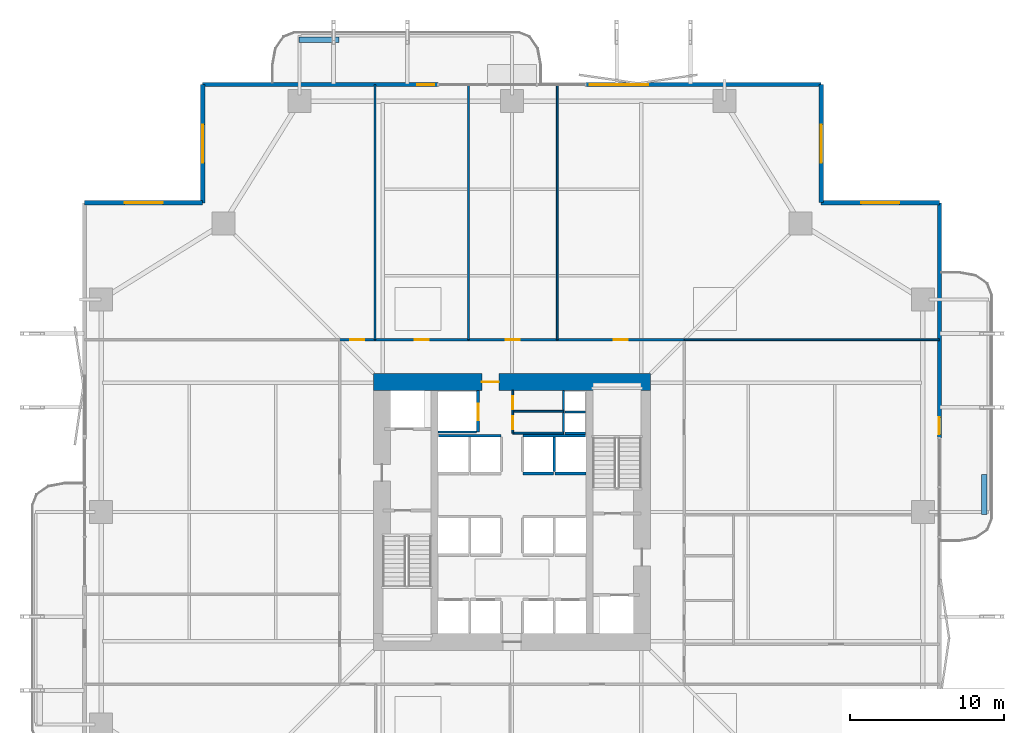
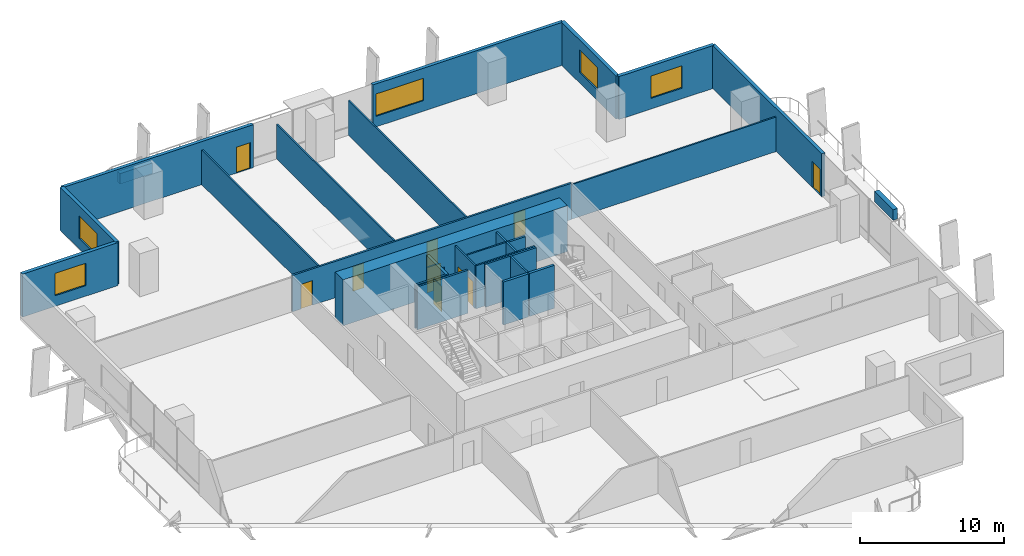
# One storey, part 19 of 24: 28 walls, 10 doors, 5 windows, 15 openings.
"""IFC4 building model written with IfcOpenShell, lengths in metres."""

import ifcopenshell
import ifcopenshell.guid

model = None  # the IFC model being written
_history = None  # IfcOwnerHistory: only IFC2X3 demands one
_inside = {}  # id of a spatial element -> (the spatial element, [elements in it])
_under = {}  # id of a project, library or spatial element -> (it, [spatial elements below it])
_declared = {}  # id of a project -> (the project, [libraries it declares])
_typed = {}  # id of a type object -> (the type object, [elements of that type])
_made_of = {}  # id of a material, layer set ... -> (it, [elements and type objects made of it])


def new_model(schema):
    """Start an empty IFC model of exactly this schema.

    Asked for "IFC4X3", IfcOpenShell would pick the latest addendum, in which some entities
    have other attributes; the version numbers below select the first issue.
    IFC2X3 requires an IfcOwnerHistory on every rooted entity: one is made here for all.
    """
    global model, _history
    if schema == "IFC4X3":
        model = ifcopenshell.file(schema_version=(4, 3, 0, 0))
    else:
        model = ifcopenshell.file(schema=schema)
    _inside.clear()
    _under.clear()
    _declared.clear()
    _typed.clear()
    _made_of.clear()
    _history = None
    if model.schema == "IFC2X3":
        org = make("IfcOrganization", Name="unknown")
        user = make(
            "IfcPersonAndOrganization",
            ThePerson=make("IfcPerson", FamilyName="unknown"),
            TheOrganization=org,
        )
        app = make(
            "IfcApplication",
            ApplicationDeveloper=org,
            Version="unknown",
            ApplicationFullName="unknown",
            ApplicationIdentifier="unknown",
        )
        _history = make(
            "IfcOwnerHistory",
            OwningUser=user,
            OwningApplication=app,
            ChangeAction="ADDED",
            CreationDate=0,
        )
    return model


def make(cls, **values):
    """One entity of the class cls with the attributes given. An attribute that is None is left unset."""
    return model.create_entity(
        cls, **{name: value for name, value in values.items() if value is not None}
    )


def rooted(cls, **values):
    """An entity with a GlobalId (a new one), such as an element, a storey or a relation."""
    return make(cls, GlobalId=ifcopenshell.guid.new(), OwnerHistory=_history, **values)


def si_unit(unit_type, name, prefix=None):
    """IfcSIUnit, for example si_unit("LENGTHUNIT", "METRE", prefix="MILLI")."""
    return make("IfcSIUnit", UnitType=unit_type, Prefix=prefix, Name=name)


def assignment(units):
    """IfcUnitAssignment: the units of a project."""
    return None if units is None else make("IfcUnitAssignment", Units=units)


def point(xyz):
    """IfcCartesianPoint."""
    return None if xyz is None else make("IfcCartesianPoint", Coordinates=xyz)


def direction(xyz):
    """IfcDirection."""
    return None if xyz is None else make("IfcDirection", DirectionRatios=xyz)


def frame(location, z_axis=None, x_axis=None):
    """IfcAxis2Placement3D, a coordinate frame: its origin and axes. An axis left out is left unset."""
    return make(
        "IfcAxis2Placement3D",
        Location=point(location),
        Axis=direction(z_axis),
        RefDirection=direction(x_axis),
    )


def frame_2d(location, x_axis=None):
    """IfcAxis2Placement2D, a coordinate frame in the plane: its origin and x axis."""
    return make(
        "IfcAxis2Placement2D", Location=point(location), RefDirection=direction(x_axis)
    )


def origin():
    """The frame at (0, 0, 0) with its axes left unset."""
    return frame((0.0, 0.0, 0.0))


def place(relative_to, where):
    """IfcLocalPlacement: puts the frame where relative to a parent placement (None: the world)."""
    return make(
        "IfcLocalPlacement", PlacementRelTo=relative_to, RelativePlacement=where
    )


def context(
    kind, dimensions, precision=None, world=None, true_north=None, identifier=None
):
    """IfcGeometricRepresentationContext, for example the 3D "Model" context."""
    return make(
        "IfcGeometricRepresentationContext",
        ContextIdentifier=identifier,
        ContextType=kind,
        CoordinateSpaceDimension=dimensions,
        Precision=precision,
        WorldCoordinateSystem=world,
        TrueNorth=true_north,
    )


def subcontext(parent, identifier, kind, view, scale=None):
    """IfcGeometricRepresentationSubContext, for example "Body" below "Model"."""
    return make(
        "IfcGeometricRepresentationSubContext",
        ContextIdentifier=identifier,
        ContextType=kind,
        ParentContext=parent,
        TargetScale=scale,
        TargetView=view,
    )


def project(units=None, contexts=None):
    """IfcProject with its units and contexts."""
    return rooted(
        "IfcProject",
        Name="project",
        RepresentationContexts=contexts,
        UnitsInContext=assignment(units),
    )


def spatial(cls, under=None, at=None, **own):
    """A site, building, storey or space (cls), placed at a placement, below another one or the project."""
    s = rooted(cls, ObjectPlacement=at, **own)
    if under is not None:
        _under.setdefault(under.id(), (under, []))[1].append(s)
    return s


def profile(cls, at=None, kind="AREA", **sizes):
    """A parametric profile (cls). Its sizes go by their IFC names, for example OverallWidth=200.0."""
    return make(cls, ProfileType=kind, Position=at, **sizes)


def rectangle(**sizes):
    """IfcRectangleProfileDef."""
    return profile("IfcRectangleProfileDef", **sizes)


def extrude(swept, where, along, depth):
    """IfcExtrudedAreaSolid: the profile swept, set in the frame where, extruded along a direction by depth."""
    return make(
        "IfcExtrudedAreaSolid",
        SweptArea=swept,
        Position=where,
        ExtrudedDirection=direction(along),
        Depth=depth,
    )


def shape(context_of_items, identifier, shape_type, items):
    """IfcShapeRepresentation: the items that make up one representation, for example the "Body"."""
    return make(
        "IfcShapeRepresentation",
        ContextOfItems=context_of_items,
        RepresentationIdentifier=identifier,
        RepresentationType=shape_type,
        Items=items,
    )


def material(Name=None, Category=None):
    """IfcMaterial."""
    return make("IfcMaterial", Name=Name, Category=Category)


def layer(
    of_material, thickness, ventilated=None, Name=None, Category=None, Priority=None
):
    """IfcMaterialLayer: one layer of a wall or slab, of a material (None: an air gap)."""
    return make(
        "IfcMaterialLayer",
        Material=of_material,
        LayerThickness=thickness,
        IsVentilated=ventilated,
        Name=Name,
        Category=Category,
        Priority=Priority,
    )


def layer_set(layers, Name=None):
    """IfcMaterialLayerSet."""
    return make("IfcMaterialLayerSet", MaterialLayers=layers, LayerSetName=Name)


def made_of(thing, what):
    """Note that an element or type object is made of a material, layer set ...; save() writes the relation."""
    if what is not None:
        _made_of.setdefault(what.id(), (what, []))[1].append(thing)
    return thing


def type_object(cls, material=None, **own):
    """A type object (cls), such as IfcWallType, which elements share."""
    return made_of(rooted(cls, **own), material)


def element(
    cls,
    number,
    at=None,
    inside=None,
    cuts=None,
    type_object=None,
    material=None,
    context=None,
    identifier="Body",
    shape_type=None,
    held_by="IfcProductDefinitionShape",
    body=None,
    shapes=None,
    **own,
):
    """One element of the class cls, such as IfcWall. Its Tag is "e" and its number.

    at: its placement. inside: the storey or other place that contains it. cuts: it is an
    opening in that element (IfcRelVoidsElement). A single representation is given by context,
    identifier, shape_type and body (its items); several are given by shapes. held_by: the class
    of the entity that holds the representations. save() writes the other relations.
    """
    e = rooted(cls, Tag="e%d" % number, ObjectPlacement=at, **own)
    if body is not None:
        shapes = [shape(context, identifier, shape_type, body)]
    if shapes is not None:
        e.Representation = make(held_by, Representations=shapes)
    if inside is not None:
        _inside.setdefault(inside.id(), (inside, []))[1].append(e)
    if cuts is not None:
        rooted(
            "IfcRelVoidsElement", RelatingBuildingElement=cuts, RelatedOpeningElement=e
        )
    if type_object is not None:
        _typed.setdefault(type_object.id(), (type_object, []))[1].append(e)
    return made_of(e, material)


def fill(opening, filler):
    """IfcRelFillsElement: the door or window that sits in an opening."""
    return rooted(
        "IfcRelFillsElement",
        RelatingOpeningElement=opening,
        RelatedBuildingElement=filler,
    )


def aggregate(whole, parts):
    """IfcRelAggregates: a whole, such as a stair, and the parts it consists of."""
    return rooted("IfcRelAggregates", RelatingObject=whole, RelatedObjects=parts)


def save(model, path):
    """Write the relations noted so far, then the file.

    IfcRelAggregates (storeys below a building ...), IfcRelContainedInSpatialStructure (elements
    in a storey), IfcRelDefinesByType, IfcRelAssociatesMaterial and IfcRelDeclares: one each for
    every whole, place, type object, material and project.
    """
    for whole, parts in _under.values():
        aggregate(whole, parts)
    for where, things in _inside.values():
        rooted(
            "IfcRelContainedInSpatialStructure",
            RelatedElements=things,
            RelatingStructure=where,
        )
    for kind, things in _typed.values():
        rooted("IfcRelDefinesByType", RelatedObjects=things, RelatingType=kind)
    for what, things in _made_of.values():
        rooted("IfcRelAssociatesMaterial", RelatedObjects=things, RelatingMaterial=what)
    for by, libraries in _declared.values():
        rooted("IfcRelDeclares", RelatingContext=by, RelatedDefinitions=libraries)
    model.write(path)


model = new_model("IFC4")

# Units and contexts
model_context = context("Model", 3, precision=1e-05, world=origin(), true_north=direction((0.0, 1.0)))
body_context = subcontext(model_context, "Body", "Model", "MODEL_VIEW")
ifc_project = project(units=[si_unit("LENGTHUNIT", "METRE"), si_unit("AREAUNIT", "SQUARE_METRE"), si_unit("VOLUMEUNIT", "CUBIC_METRE"), si_unit("PLANEANGLEUNIT", "RADIAN"), si_unit("MASSUNIT", "GRAM", prefix="KILO")], contexts=[model_context])

# Site, building, storey
site_placement = place(None, origin())
site = spatial("IfcSite", under=ifc_project, at=site_placement, CompositionType="ELEMENT")
building_placement = place(site_placement, origin())
building = spatial("IfcBuilding", under=site, at=building_placement, Name="Belovzor Exchange Tower", CompositionType="ELEMENT")
storey_placement = place(building_placement, frame((0.0, 0.0, 33.89990234375)))
storey = spatial("IfcBuildingStorey", under=building, at=storey_placement, Name="L07", CompositionType="ELEMENT", Elevation=33.89990234375)

# Walls
ifc_material_1 = material(Name="Acoustic Plasterboard on Galvanised Studs", Category="gypsum")
ifc_layer_1 = layer(ifc_material_1, 0.1201171875)
ifc_layer_set_1 = layer_set([ifc_layer_1], Name="Acoustic Plasterboard on Galvanised Studs")
wall_type_1 = type_object("IfcWallType", Name="Acoustic Double-Stud Partition Wall 120", PredefinedType="PARTITIONING", material=ifc_layer_set_1)
for number, where, z_axis, x_axis, name in (
    (1, (19.89990234375, 40.0, 0.0), (0.0, 0.0, 1.0), (0.0, 1.0, 0.0), "W-P120 Partition Wall W-L07-NDIV-1"),
    (2, (25.97607421875, 40.0, 0.0), (0.0, 0.0, 1.0), (0.0, 1.0, 0.0), "W-P120 Partition Wall W-L07-NDIV-2"),
    (3, (31.740966796875, 40.0, 0.0), (0.0, 0.0, 1.0), (0.0, 1.0, 0.0), "W-P120 Partition Wall W-L07-NDIV-3"),
    (4, (40.0, 40.0, 0.0), (0.0, 0.0, 1.0), (1.0, 0.0, 0.0), "W-P120 Partition Wall W-L07-END-NE"),
):
    element("IfcWall", number, at=place(storey_placement, frame(where, z_axis=z_axis, x_axis=x_axis)), inside=storey, type_object=wall_type_1, Name=name, PredefinedType="PARTITIONING", context=body_context, shape_type="SweptSolid", body=[
        extrude(rectangle(XDim=16.570068359375, YDim=0.1201171875, at=frame_2d((8.28515625, 0.0))), origin(), (0.0, 0.0, 1.0), 2.93505859375),
    ])

# Wall, openings, doors
ifc_material_2 = material(Name="Fire-Rated Plasterboard on Galvanised Studs", Category="gypsum")
ifc_layer_2 = layer(ifc_material_2, 0.1201171875)
ifc_layer_set_2 = layer_set([ifc_layer_2], Name="Fire-Rated Plasterboard on Galvanised Studs")
wall_type_2 = type_object("IfcWallType", Name="Fire-Rated Double-Stud Partition Wall 120", PredefinedType="PARTITIONING", material=ifc_layer_set_2)
wall_1_placement = place(storey_placement, frame((28.85009765625, 33.925048828125, 0.0), z_axis=(0.0, 0.0, 1.0), x_axis=(0.0, 1.0, 0.0)))
wall_1 = element("IfcWall", 5, at=wall_1_placement, inside=storey, type_object=wall_type_2, Name="W-P120F Partition Wall W-CRV-L07-W", PredefinedType="PARTITIONING", context=body_context, shape_type="SweptSolid", body=[
    extrude(rectangle(XDim=2.77490234375, YDim=0.1201171875, at=frame_2d((1.387451171875, 0.0))), origin(), (0.0, 0.0, 1.0), 3.650146484375),
])
opening_1_placement = place(wall_1_placement, frame((0.25, 0.0, 0.0)))
opening_1 = element("IfcOpeningElement", 6, at=opening_1_placement, cuts=wall_1, Name="Opening D-FD60-085", PredefinedType="OPENING", context=body_context, shape_type="SweptSolid", body=[
    extrude(rectangle(XDim=0.85009765625, YDim=2.10009765625, at=frame_2d((0.425048828125, 1.050048828125))), frame((0.0, 0.070068359375, 0.0), z_axis=(0.0, -1.0, 0.0), x_axis=(1.0, 0.0, 0.0)), (0.0, 0.0, 1.0), 0.14013671875),
])
opening_2_placement = place(wall_1_placement, frame((1.544921875, 0.0, 0.0)))
opening_2 = element("IfcOpeningElement", 7, at=opening_2_placement, cuts=wall_1, Name="Opening D-FD60-085", PredefinedType="OPENING", context=body_context, shape_type="SweptSolid", body=[
    extrude(rectangle(XDim=0.85009765625, YDim=2.10009765625, at=frame_2d((0.425048828125, 1.050048828125))), frame((0.0, 0.070068359375, 0.0), z_axis=(0.0, -1.0, 0.0), x_axis=(1.0, 0.0, 0.0)), (0.0, 0.0, 1.0), 0.14013671875),
])
ifc_material_3 = material(Name="Fire-Rated Steel Access Leaf", Category="steel")
door_type_1 = type_object("IfcDoorType", Name="Riser & Meter Closet Access Fire Door 850x2100", OperationType="NOTDEFINED", PredefinedType="DOOR", material=ifc_material_3)
door_1_placement = place(opening_1_placement, origin())
door_1 = element("IfcDoor", 8, at=door_1_placement, inside=storey, type_object=door_type_1, Name="D-FD60-085 Riser & Meter Closet Access Fire Door 850x2100", OperationType="SINGLE_SWING_LEFT", OverallHeight=2.10009765625, OverallWidth=0.85009765625, PredefinedType="DOOR", context=body_context, shape_type="SweptSolid", body=[
    extrude(rectangle(XDim=0.85009765625, YDim=2.10009765625, at=frame_2d((0.425048828125, 1.050048828125))), frame((0.0, 0.02490234375, 0.0), z_axis=(0.0, -1.0, 0.0), x_axis=(1.0, 0.0, 0.0)), (0.0, 0.0, 1.0), 0.050048828125),
])
fill(opening_1, door_1)
door_2_placement = place(opening_2_placement, origin())
door_2 = element("IfcDoor", 9, at=door_2_placement, inside=storey, type_object=door_type_1, Name="D-FD60-085 Riser & Meter Closet Access Fire Door 850x2100", OperationType="SINGLE_SWING_RIGHT", OverallHeight=2.10009765625, OverallWidth=0.85009765625, PredefinedType="DOOR", context=body_context, shape_type="SweptSolid", body=[
    extrude(rectangle(XDim=0.85009765625, YDim=2.10009765625, at=frame_2d((0.425048828125, 1.050048828125))), frame((0.0, 0.02490234375, 0.0), z_axis=(0.0, -1.0, 0.0), x_axis=(1.0, 0.0, 0.0)), (0.0, 0.0, 1.0), 0.050048828125),
])
fill(opening_2, door_2)

# Walls
for number, where, z_axis, x_axis, name in (
    (10, (28.85009765625, 35.35009765625, 0.0), (0.0, 0.0, 1.0), (1.0, 0.0, 0.0), "W-P120F Partition Wall W-CRV-L07-M"),
    (11, (28.85009765625, 33.925048828125, 0.0), (0.0, 0.0, 1.0), (1.0, 0.0, 0.0), "W-P120F Partition Wall W-CRV-L07-S"),
):
    element("IfcWall", number, at=place(storey_placement, frame(where, z_axis=z_axis, x_axis=x_axis)), inside=storey, type_object=wall_type_2, Name=name, PredefinedType="PARTITIONING", context=body_context, shape_type="SweptSolid", body=[
        extrude(rectangle(XDim=3.2998046875, YDim=0.1201171875, at=frame_2d((1.64990234375, 0.0))), origin(), (0.0, 0.0, 1.0), 3.650146484375),
    ])

# Wall, openings, doors
ifc_material_4 = material(Name="Fire-Rated Gypsum Block and Mineral Wool", Category="gypsum")
ifc_layer_3 = layer(ifc_material_4, 0.14990234375)
ifc_layer_set_3 = layer_set([ifc_layer_3], Name="Fire-Rated Gypsum Block and Mineral Wool")
wall_type_3 = type_object("IfcWallType", Name="Fire-Rated Gypsum Block Corridor Wall 150", PredefinedType="PARTITIONING", material=ifc_layer_set_3)
wall_2_placement = place(storey_placement, frame((17.60009765625, 40.0, 0.0), z_axis=(0.0, 0.0, 1.0), x_axis=(1.0, 0.0, 0.0)))
wall_2 = element("IfcWall", 12, at=wall_2_placement, inside=storey, type_object=wall_type_3, Name="W-P150 Partition Wall W-L07-CN", PredefinedType="PARTITIONING", context=body_context, shape_type="SweptSolid", body=[
    extrude(rectangle(XDim=22.39990234375, YDim=0.14990234375, at=frame_2d((11.199951171875, 0.0))), origin(), (0.0, 0.0, 1.0), 3.085205078125),
])
opening_3_placement = place(wall_2_placement, frame((0.699951171875, 0.0, 0.0)))
opening_3 = element("IfcOpeningElement", 13, at=opening_3_placement, cuts=wall_2, Name="Opening D-INT-090", PredefinedType="OPENING", context=body_context, shape_type="SweptSolid", body=[
    extrude(rectangle(XDim=0.89990234375, YDim=2.10009765625, at=frame_2d((0.449951171875, 1.050048828125))), frame((0.0, 0.0849609375, 0.0), z_axis=(0.0, -1.0, 0.0), x_axis=(1.0, 0.0, 0.0)), (0.0, 0.0, 1.0), 0.169921875),
])
opening_4_placement = place(wall_2_placement, frame((4.887939453125, 0.0, 0.0)))
opening_4 = element("IfcOpeningElement", 14, at=opening_4_placement, cuts=wall_2, Name="Opening D-INT-090", PredefinedType="OPENING", context=body_context, shape_type="SweptSolid", body=[
    extrude(rectangle(XDim=0.89990234375, YDim=2.10009765625, at=frame_2d((0.449951171875, 1.050048828125))), frame((0.0, 0.0849609375, 0.0), z_axis=(0.0, -1.0, 0.0), x_axis=(1.0, 0.0, 0.0)), (0.0, 0.0, 1.0), 0.169921875),
])
opening_5_placement = place(wall_2_placement, frame((10.80810546875, 0.0, 0.0)))
opening_5 = element("IfcOpeningElement", 15, at=opening_5_placement, cuts=wall_2, Name="Opening D-INT-090", PredefinedType="OPENING", context=body_context, shape_type="SweptSolid", body=[
    extrude(rectangle(XDim=0.89990234375, YDim=2.10009765625, at=frame_2d((0.449951171875, 1.050048828125))), frame((0.0, 0.0849609375, 0.0), z_axis=(0.0, -1.0, 0.0), x_axis=(1.0, 0.0, 0.0)), (0.0, 0.0, 1.0), 0.169921875),
])
opening_6_placement = place(wall_2_placement, frame((17.820068359375, 0.0, 0.0)))
opening_6 = element("IfcOpeningElement", 16, at=opening_6_placement, cuts=wall_2, Name="Opening D-INT-090", PredefinedType="OPENING", context=body_context, shape_type="SweptSolid", body=[
    extrude(rectangle(XDim=0.89990234375, YDim=2.10009765625, at=frame_2d((0.449951171875, 1.050048828125))), frame((0.0, 0.0849609375, 0.0), z_axis=(0.0, -1.0, 0.0), x_axis=(1.0, 0.0, 0.0)), (0.0, 0.0, 1.0), 0.169921875),
])
ifc_material_5 = material(Name="Veneered Hardwood Acoustic Leaf", Category="wood")
door_type_2 = type_object("IfcDoorType", Name="Trading Suite Acoustic Single Door 900x2100", OperationType="NOTDEFINED", PredefinedType="DOOR", material=ifc_material_5)
door_3_placement = place(opening_3_placement, origin())
door_3 = element("IfcDoor", 17, at=door_3_placement, inside=storey, type_object=door_type_2, Name="D-INT-090 Trading Suite Acoustic Single Door 900x2100", OperationType="SINGLE_SWING_LEFT", OverallHeight=2.10009765625, OverallWidth=0.89990234375, PredefinedType="DOOR", context=body_context, shape_type="SweptSolid", body=[
    extrude(rectangle(XDim=0.89990234375, YDim=2.10009765625, at=frame_2d((0.449951171875, 1.050048828125))), frame((0.0, 0.02490234375, 0.0), z_axis=(0.0, -1.0, 0.0), x_axis=(1.0, 0.0, 0.0)), (0.0, 0.0, 1.0), 0.050048828125),
])
fill(opening_3, door_3)
door_4_placement = place(opening_4_placement, origin())
door_4 = element("IfcDoor", 18, at=door_4_placement, inside=storey, type_object=door_type_2, Name="D-INT-090 Trading Suite Acoustic Single Door 900x2100", OperationType="SINGLE_SWING_RIGHT", OverallHeight=2.10009765625, OverallWidth=0.89990234375, PredefinedType="DOOR", context=body_context, shape_type="SweptSolid", body=[
    extrude(rectangle(XDim=0.89990234375, YDim=2.10009765625, at=frame_2d((0.449951171875, 1.050048828125))), frame((0.0, 0.02490234375, 0.0), z_axis=(0.0, -1.0, 0.0), x_axis=(1.0, 0.0, 0.0)), (0.0, 0.0, 1.0), 0.050048828125),
])
fill(opening_4, door_4)
door_5_placement = place(opening_5_placement, origin())
door_5 = element("IfcDoor", 19, at=door_5_placement, inside=storey, type_object=door_type_2, Name="D-INT-090 Trading Suite Acoustic Single Door 900x2100", OperationType="SINGLE_SWING_LEFT", OverallHeight=2.10009765625, OverallWidth=0.89990234375, PredefinedType="DOOR", context=body_context, shape_type="SweptSolid", body=[
    extrude(rectangle(XDim=0.89990234375, YDim=2.10009765625, at=frame_2d((0.449951171875, 1.050048828125))), frame((0.0, 0.02490234375, 0.0), z_axis=(0.0, -1.0, 0.0), x_axis=(1.0, 0.0, 0.0)), (0.0, 0.0, 1.0), 0.050048828125),
])
fill(opening_5, door_5)
door_6_placement = place(opening_6_placement, origin())
door_6 = element("IfcDoor", 20, at=door_6_placement, inside=storey, type_object=door_type_2, Name="D-INT-090 Trading Suite Acoustic Single Door 900x2100", OperationType="SINGLE_SWING_RIGHT", OverallHeight=2.10009765625, OverallWidth=0.89990234375, PredefinedType="DOOR", context=body_context, shape_type="SweptSolid", body=[
    extrude(rectangle(XDim=0.89990234375, YDim=2.10009765625, at=frame_2d((0.449951171875, 1.050048828125))), frame((0.0, 0.02490234375, 0.0), z_axis=(0.0, -1.0, 0.0), x_axis=(1.0, 0.0, 0.0)), (0.0, 0.0, 1.0), 0.050048828125),
])
fill(opening_6, door_6)

# Wall, opening, window
ifc_material_6 = material(Name="Precast concrete C40/50", Category="concrete")
ifc_layer_4 = layer(ifc_material_6, 0.280029296875)
ifc_layer_set_4 = layer_set([ifc_layer_4], Name="Precast concrete C40/50")
wall_type_4 = type_object("IfcWallType", Name="Precast Concrete Notched Corner Frame Wall 280", PredefinedType="SOLIDWALL", material=ifc_layer_set_4)
wall_3_placement = place(storey_placement, frame((1.030029296875, 48.89990234375, 0.0), z_axis=(0.0, 0.0, 1.0), x_axis=(1.0, 0.0, 0.0)))
wall_3 = element("IfcWall", 21, at=wall_3_placement, inside=storey, type_object=wall_type_4, Name="W-CRN280 Precast Concrete Notched Corner Frame Wall 280 L07", PredefinedType="SOLIDWALL", context=body_context, shape_type="SweptSolid", body=[
    extrude(rectangle(XDim=7.669921875, YDim=0.280029296875, at=frame_2d((3.8349609375, 0.0))), origin(), (0.0, 0.0, 1.0), 3.650146484375),
])
opening_7_placement = place(wall_3_placement, frame((2.5849609375, 0.0, 0.89990234375)))
opening_7 = element("IfcOpeningElement", 22, at=opening_7_placement, cuts=wall_3, Name="Opening WN-CRN250", PredefinedType="OPENING", context=body_context, shape_type="SweptSolid", body=[
    extrude(rectangle(XDim=2.5, YDim=1.89990234375, at=frame_2d((1.25, 0.949951171875))), frame((0.0, 0.14990234375, 0.0), z_axis=(0.0, -1.0, 0.0), x_axis=(1.0, 0.0, 0.0)), (0.0, 0.0, 1.0), 0.300048828125),
])
ifc_material_7 = material(Name="Thermally Broken Aluminium and Triple Glazing", Category="aluminium")
window_type_1 = type_object("IfcWindowType", Name="Streamline Moderne Corner Wrap Ribbon Window 2500x1900", PartitioningType="SINGLE_PANEL", PredefinedType="WINDOW", material=ifc_material_7)
window_1_placement = place(opening_7_placement, origin())
window_1 = element("IfcWindow", 23, at=window_1_placement, inside=storey, type_object=window_type_1, Name="WN-CRN250 Streamline Moderne Corner Wrap Ribbon Window 2500x1900", OverallHeight=1.89990234375, OverallWidth=2.5, PartitioningType="SINGLE_PANEL", PredefinedType="WINDOW", context=body_context, shape_type="SweptSolid", body=[
    extrude(rectangle(XDim=2.5, YDim=1.89990234375, at=frame_2d((1.25, 0.949951171875))), frame((0.0, 0.030029296875, 0.0), z_axis=(0.0, -1.0, 0.0), x_axis=(1.0, 0.0, 0.0)), (0.0, 0.0, 1.0), 0.06005859375),
])
fill(opening_7, window_1)

wall_4_placement = place(storey_placement, frame((8.699951171875, 48.89990234375, 0.0), z_axis=(0.0, 0.0, 1.0), x_axis=(0.0, 1.0, 0.0)))
wall_4 = element("IfcWall", 24, at=wall_4_placement, inside=storey, type_object=wall_type_4, Name="W-CRN280 Precast Concrete Notched Corner Frame Wall 280 L07", PredefinedType="SOLIDWALL", context=body_context, shape_type="SweptSolid", body=[
    extrude(rectangle(XDim=7.670166015625, YDim=0.280029296875, at=frame_2d((3.8349609375, 0.0))), origin(), (0.0, 0.0, 1.0), 3.650146484375),
])
opening_8_placement = place(wall_4_placement, frame((2.5849609375, 0.0, 0.89990234375)))
opening_8 = element("IfcOpeningElement", 25, at=opening_8_placement, cuts=wall_4, Name="Opening WN-CRN250", PredefinedType="OPENING", context=body_context, shape_type="SweptSolid", body=[
    extrude(rectangle(XDim=2.5, YDim=1.89990234375, at=frame_2d((1.25, 0.949951171875))), frame((0.0, 0.14990234375, 0.0), z_axis=(0.0, -1.0, 0.0), x_axis=(1.0, 0.0, 0.0)), (0.0, 0.0, 1.0), 0.300048828125),
])
window_2_placement = place(opening_8_placement, origin())
window_2 = element("IfcWindow", 26, at=window_2_placement, inside=storey, type_object=window_type_1, Name="WN-CRN250 Streamline Moderne Corner Wrap Ribbon Window 2500x1900", OverallHeight=1.89990234375, OverallWidth=2.5, PartitioningType="SINGLE_PANEL", PredefinedType="WINDOW", context=body_context, shape_type="SweptSolid", body=[
    extrude(rectangle(XDim=2.5, YDim=1.89990234375, at=frame_2d((1.25, 0.949951171875))), frame((0.0, 0.030029296875, 0.0), z_axis=(0.0, -1.0, 0.0), x_axis=(1.0, 0.0, 0.0)), (0.0, 0.0, 1.0), 0.06005859375),
])
fill(opening_8, window_2)

wall_5_placement = place(storey_placement, frame((48.89990234375, 56.570068359375, 0.0), z_axis=(0.0, 0.0, 1.0), x_axis=(0.0, -1.0, 0.0)))
wall_5 = element("IfcWall", 27, at=wall_5_placement, inside=storey, type_object=wall_type_4, Name="W-CRN280 Precast Concrete Notched Corner Frame Wall 280 L07", PredefinedType="SOLIDWALL", context=body_context, shape_type="SweptSolid", body=[
    extrude(rectangle(XDim=7.670166015625, YDim=0.280029296875, at=frame_2d((3.8349609375, 0.0))), origin(), (0.0, 0.0, 1.0), 3.650146484375),
])
opening_9_placement = place(wall_5_placement, frame((2.5849609375, 0.0, 0.89990234375)))
opening_9 = element("IfcOpeningElement", 28, at=opening_9_placement, cuts=wall_5, Name="Opening WN-CRN250", PredefinedType="OPENING", context=body_context, shape_type="SweptSolid", body=[
    extrude(rectangle(XDim=2.5, YDim=1.89990234375, at=frame_2d((1.25, 0.949951171875))), frame((0.0, 0.14990234375, 0.0), z_axis=(0.0, -1.0, 0.0), x_axis=(1.0, 0.0, 0.0)), (0.0, 0.0, 1.0), 0.300048828125),
])
window_3_placement = place(opening_9_placement, origin())
window_3 = element("IfcWindow", 29, at=window_3_placement, inside=storey, type_object=window_type_1, Name="WN-CRN250 Streamline Moderne Corner Wrap Ribbon Window 2500x1900", OverallHeight=1.89990234375, OverallWidth=2.5, PartitioningType="SINGLE_PANEL", PredefinedType="WINDOW", context=body_context, shape_type="SweptSolid", body=[
    extrude(rectangle(XDim=2.5, YDim=1.89990234375, at=frame_2d((1.25, 0.949951171875))), frame((0.0, 0.030029296875, 0.0), z_axis=(0.0, -1.0, 0.0), x_axis=(1.0, 0.0, 0.0)), (0.0, 0.0, 1.0), 0.06005859375),
])
fill(opening_9, window_3)

wall_6_placement = place(storey_placement, frame((48.89990234375, 48.89990234375, 0.0), z_axis=(0.0, 0.0, 1.0), x_axis=(1.0, 0.0, 0.0)))
wall_6 = element("IfcWall", 30, at=wall_6_placement, inside=storey, type_object=wall_type_4, Name="W-CRN280 Precast Concrete Notched Corner Frame Wall 280 L07", PredefinedType="SOLIDWALL", context=body_context, shape_type="SweptSolid", body=[
    extrude(rectangle(XDim=7.670166015625, YDim=0.280029296875, at=frame_2d((3.8349609375, 0.0))), origin(), (0.0, 0.0, 1.0), 3.650146484375),
])
opening_10_placement = place(wall_6_placement, frame((2.5849609375, 0.0, 0.89990234375)))
opening_10 = element("IfcOpeningElement", 31, at=opening_10_placement, cuts=wall_6, Name="Opening WN-CRN250", PredefinedType="OPENING", context=body_context, shape_type="SweptSolid", body=[
    extrude(rectangle(XDim=2.5, YDim=1.89990234375, at=frame_2d((1.25, 0.949951171875))), frame((0.0, 0.14990234375, 0.0), z_axis=(0.0, -1.0, 0.0), x_axis=(1.0, 0.0, 0.0)), (0.0, 0.0, 1.0), 0.300048828125),
])
window_4_placement = place(opening_10_placement, origin())
window_4 = element("IfcWindow", 32, at=window_4_placement, inside=storey, type_object=window_type_1, Name="WN-CRN250 Streamline Moderne Corner Wrap Ribbon Window 2500x1900", OverallHeight=1.89990234375, OverallWidth=2.5, PartitioningType="SINGLE_PANEL", PredefinedType="WINDOW", context=body_context, shape_type="SweptSolid", body=[
    extrude(rectangle(XDim=2.5, YDim=1.89990234375, at=frame_2d((1.25, 0.949951171875))), frame((0.0, 0.030029296875, 0.0), z_axis=(0.0, -1.0, 0.0), x_axis=(1.0, 0.0, 0.0)), (0.0, 0.0, 1.0), 0.06005859375),
])
fill(opening_10, window_4)

# Wall, opening, door
ifc_material_8 = material(Name="Precast concrete C40/50", Category="concrete")
ifc_layer_5 = layer(ifc_material_8, 0.260009765625)
ifc_layer_set_5 = layer_set([ifc_layer_5], Name="Precast concrete C40/50")
wall_type_5 = type_object("IfcWallType", Name="Precast Concrete Perimeter Loggia Frame Wall 260", PredefinedType="SOLIDWALL", material=ifc_layer_set_5)
wall_7_placement = place(storey_placement, frame((8.699951171875, 56.570068359375, 0.0), z_axis=(0.0, 0.0, 1.0), x_axis=(1.0, 0.0, 0.0)))
wall_7 = element("IfcWall", 33, at=wall_7_placement, inside=storey, type_object=wall_type_5, Name="W-EXT260 Precast Concrete Perimeter Loggia Frame Wall 260 L07", PredefinedType="SOLIDWALL", context=body_context, shape_type="SweptSolid", body=[
    extrude(rectangle(XDim=15.300048828125, YDim=0.260009765625, at=frame_2d((7.64990234375, 0.0))), origin(), (0.0, 0.0, 1.0), 3.650146484375),
])
opening_11_placement = place(wall_7_placement, frame((13.949951171875, 0.0, 0.0)))
opening_11 = element("IfcOpeningElement", 34, at=opening_11_placement, cuts=wall_7, Name="Opening D-BAL110", PredefinedType="OPENING", context=body_context, shape_type="SweptSolid", body=[
    extrude(rectangle(XDim=1.10009765625, YDim=2.199951171875, at=frame_2d((0.550048828125, 1.10009765625))), frame((0.0, 0.139892578125, 0.0), z_axis=(0.0, -1.0, 0.0), x_axis=(1.0, 0.0, 0.0)), (0.0, 0.0, 1.0), 0.280029296875),
])
ifc_material_9 = material(Name="Thermally Broken Anodised Aluminium and Laminated Glass", Category="aluminium")
door_type_3 = type_object("IfcDoorType", Name="Planted Loggia Terrace Glazed Door 1100x2200", OperationType="SINGLE_SWING_LEFT", PredefinedType="DOOR", material=ifc_material_9)
door_7_placement = place(opening_11_placement, origin())
door_7 = element("IfcDoor", 35, at=door_7_placement, inside=storey, type_object=door_type_3, Name="D-BAL110 Balcony Terrace Door L07 N", OperationType="SINGLE_SWING_RIGHT", OverallHeight=2.199951171875, OverallWidth=1.10009765625, PredefinedType="DOOR", context=body_context, shape_type="SweptSolid", body=[
    extrude(rectangle(XDim=1.10009765625, YDim=2.199951171875, at=frame_2d((0.550048828125, 1.10009765625))), frame((0.0, 0.02490234375, 0.0), z_axis=(0.0, -1.0, 0.0), x_axis=(1.0, 0.0, 0.0)), (0.0, 0.0, 1.0), 0.050048828125),
])
fill(opening_11, door_7)

# Wall, opening, window
wall_8_placement = place(storey_placement, frame((33.60009765625, 56.570068359375, 0.0), z_axis=(0.0, 0.0, 1.0), x_axis=(1.0, 0.0, 0.0)))
wall_8 = element("IfcWall", 36, at=wall_8_placement, inside=storey, type_object=wall_type_5, Name="W-EXT260 Precast Concrete Perimeter Loggia Frame Wall 260 L07", PredefinedType="SOLIDWALL", context=body_context, shape_type="SweptSolid", body=[
    extrude(rectangle(XDim=15.2998046875, YDim=0.260009765625, at=frame_2d((7.64990234375, 0.0))), origin(), (0.0, 0.0, 1.0), 3.650146484375),
])
opening_12_placement = place(wall_8_placement, frame((0.25, 0.0, 0.89990234375)))
opening_12 = element("IfcOpeningElement", 37, at=opening_12_placement, cuts=wall_8, Name="Opening WN-RIB380", PredefinedType="OPENING", context=body_context, shape_type="SweptSolid", body=[
    extrude(rectangle(XDim=3.800048828125, YDim=1.89990234375, at=frame_2d((1.89990234375, 0.949951171875))), frame((0.0, 0.139892578125, 0.0), z_axis=(0.0, -1.0, 0.0), x_axis=(1.0, 0.0, 0.0)), (0.0, 0.0, 1.0), 0.280029296875),
])
ifc_material_10 = material(Name="Thermally Broken Aluminium and Triple Glazing", Category="aluminium")
window_type_2 = type_object("IfcWindowType", Name="Streamline Moderne Horizontal Ribbon Window 3800x1900", PartitioningType="SINGLE_PANEL", PredefinedType="WINDOW", material=ifc_material_10)
window_5_placement = place(opening_12_placement, origin())
window_5 = element("IfcWindow", 38, at=window_5_placement, inside=storey, type_object=window_type_2, Name="WN-RIB380 Streamline Moderne Horizontal Ribbon Window 3800x1900", OverallHeight=1.89990234375, OverallWidth=3.800048828125, PartitioningType="SINGLE_PANEL", PredefinedType="WINDOW", context=body_context, shape_type="SweptSolid", body=[
    extrude(rectangle(XDim=3.800048828125, YDim=1.89990234375, at=frame_2d((1.89990234375, 0.949951171875))), frame((0.0, 0.030029296875, 0.0), z_axis=(0.0, -1.0, 0.0), x_axis=(1.0, 0.0, 0.0)), (0.0, 0.0, 1.0), 0.06005859375),
])
fill(opening_12, window_5)

# Wall, opening, door
wall_9_placement = place(storey_placement, frame((56.570068359375, 48.89990234375, 0.0), z_axis=(0.0, 0.0, 1.0), x_axis=(0.0, -1.0, 0.0)))
wall_9 = element("IfcWall", 39, at=wall_9_placement, inside=storey, type_object=wall_type_5, Name="W-EXT260 Precast Concrete Perimeter Loggia Frame Wall 260 L07", PredefinedType="SOLIDWALL", context=body_context, shape_type="SweptSolid", body=[
    extrude(rectangle(XDim=15.2998046875, YDim=0.260009765625, at=frame_2d((7.64990234375, 0.0))), origin(), (0.0, 0.0, 1.0), 3.650146484375),
])
opening_13_placement = place(wall_9_placement, frame((13.949951171875, 0.0, 0.0)))
opening_13 = element("IfcOpeningElement", 40, at=opening_13_placement, cuts=wall_9, Name="Opening D-BAL110", PredefinedType="OPENING", context=body_context, shape_type="SweptSolid", body=[
    extrude(rectangle(XDim=1.10009765625, YDim=2.199951171875, at=frame_2d((0.550048828125, 1.10009765625))), frame((0.0, 0.139892578125, 0.0), z_axis=(0.0, -1.0, 0.0), x_axis=(1.0, 0.0, 0.0)), (0.0, 0.0, 1.0), 0.280029296875),
])
door_8_placement = place(opening_13_placement, origin())
door_8 = element("IfcDoor", 41, at=door_8_placement, inside=storey, type_object=door_type_3, Name="D-BAL110 Balcony Terrace Door L07 E", OperationType="SINGLE_SWING_LEFT", OverallHeight=2.199951171875, OverallWidth=1.10009765625, PredefinedType="DOOR", context=body_context, shape_type="SweptSolid", body=[
    extrude(rectangle(XDim=1.10009765625, YDim=2.199951171875, at=frame_2d((0.550048828125, 1.10009765625))), frame((0.0, 0.02490234375, 0.0), z_axis=(0.0, -1.0, 0.0), x_axis=(1.0, 0.0, 0.0)), (0.0, 0.0, 1.0), 0.050048828125),
])
fill(opening_13, door_8)

# Walls
ifc_material_11 = material(Name="Precast concrete C40/50", Category="concrete")
ifc_layer_6 = layer(ifc_material_11, 0.35009765625)
ifc_layer_set_6 = layer_set([ifc_layer_6], Name="Precast concrete C40/50")
wall_type_6 = type_object("IfcWallType", Name="Precast Concrete Structural Tree Planter Trough 350", PredefinedType="PARAPET", material=ifc_layer_set_6)
for number, where, z_axis, x_axis, name in (
    (42, (14.949951171875, 59.5, 0.0), (0.0, 0.0, 1.0), (1.0, 0.0, 0.0), "PT-350 Precast Concrete Structural Tree Planter Trough 350 L07"),
    (43, (59.5, 28.64990234375, 0.0), (0.0, 0.0, 1.0), (0.0, 1.0, 0.0), "PT-350 Precast Concrete Structural Tree Planter Trough 350 L07"),
):
    element("IfcWall", number, at=place(storey_placement, frame(where, z_axis=z_axis, x_axis=x_axis)), inside=storey, type_object=wall_type_6, Name=name, PredefinedType="PARAPET", context=body_context, shape_type="SweptSolid", body=[
        extrude(rectangle(XDim=2.60009765625, YDim=0.35009765625, at=frame_2d((1.300048828125, 0.0))), origin(), (0.0, 0.0, 1.0), 0.900146484375),
    ])
ifc_material_12 = material(Name="Concrete C50/60", Category="concrete")
ifc_layer_7 = layer(ifc_material_12, 0.14990234375)
ifc_layer_set_7 = layer_set([ifc_layer_7], Name="Concrete C50/60")
wall_type_7 = type_object("IfcWallType", Name="Reinforced Concrete Core Riser Shear Wall 150", PredefinedType="SHEAR", material=ifc_layer_set_7)
wall_10_placement = place(storey_placement, frame((32.14990234375, 34.0, 0.0), z_axis=(0.0, 0.0, 1.0), x_axis=(0.0, 1.0, 0.0)))
element("IfcWall", 44, at=wall_10_placement, inside=storey, type_object=wall_type_7, Name="W-C150S Core Shaft Wall W-RSR-L07-E", PredefinedType="SHEAR", context=body_context, shape_type="SweptSolid", body=[
    extrude(rectangle(XDim=2.699951171875, YDim=0.14990234375, at=frame_2d((1.35009765625, 0.0))), origin(), (0.0, 0.0, 1.0), 3.650146484375),
])
for number, where, z_axis, x_axis, name in (
    (45, (32.25, 33.925048828125, 0.0), (0.0, 0.0, 1.0), (1.0, 0.0, 0.0), "W-C150S Core Shaft Wall W-RSR-L07-S"),
    (46, (32.25, 35.300048828125, 0.0), (0.0, 0.0, 1.0), (1.0, 0.0, 0.0), "W-C150S Core Shaft Wall W-RSR-L07-M"),
):
    element("IfcWall", number, at=place(storey_placement, frame(where, z_axis=z_axis, x_axis=x_axis)), inside=storey, type_object=wall_type_7, Name=name, PredefinedType="SHEAR", context=body_context, shape_type="SweptSolid", body=[
        extrude(rectangle(XDim=1.330078125, YDim=0.14990234375, at=frame_2d((0.6650390625, 0.0))), origin(), (0.0, 0.0, 1.0), 3.650146484375),
    ])
wall_11_placement = place(storey_placement, frame((24.0, 34.0, 0.0), z_axis=(0.0, 0.0, 1.0), x_axis=(1.0, 0.0, 0.0)))
element("IfcWall", 47, at=wall_11_placement, inside=storey, type_object=wall_type_7, Name="W-C150S Core Shaft Wall W-SH-L07-SL-01S", PredefinedType="SHEAR", context=body_context, shape_type="SweptSolid", body=[
    extrude(rectangle(XDim=2.47998046875, YDim=0.14990234375, at=frame_2d((1.239990234375, 0.0))), origin(), (0.0, 0.0, 1.0), 3.650146484375),
])
for number, where, z_axis, x_axis, name in (
    (48, (24.02001953125, 33.760009765625, 0.0), (0.0, 0.0, 1.0), (1.0, 0.0, 0.0), "W-C150S Core Shaft Wall W-SHB-L07-PLH-NW"),
    (49, (29.5, 33.760009765625, 0.0), (0.0, 0.0, 1.0), (1.0, 0.0, 0.0), "W-C150S Core Shaft Wall W-SHB-L07-PLH-NE"),
):
    element("IfcWall", number, at=place(storey_placement, frame(where, z_axis=z_axis, x_axis=x_axis)), inside=storey, type_object=wall_type_7, Name=name, PredefinedType="SHEAR", context=body_context, shape_type="SweptSolid", body=[
        extrude(rectangle(XDim=4.080078125, YDim=0.14990234375, at=frame_2d((2.0400390625, 0.0))), origin(), (0.0, 0.0, 1.0), 3.650146484375),
    ])
wall_12_placement = place(storey_placement, frame((31.550048828125, 31.419921875, 0.0), z_axis=(0.0, 0.0, 1.0), x_axis=(0.0, 1.0, 0.0)))
element("IfcWall", 50, at=wall_12_placement, inside=storey, type_object=wall_type_7, Name="W-C150S Core Shaft Wall W-SHD-L07-PLH-4", PredefinedType="SHEAR", context=body_context, shape_type="SweptSolid", body=[
    extrude(rectangle(XDim=2.239990234375, YDim=0.14990234375, at=frame_2d((1.1201171875, 0.0))), origin(), (0.0, 0.0, 1.0), 3.650146484375),
])

# Wall, opening, door
ifc_material_13 = material(Name="Concrete C50/60", Category="concrete")
ifc_layer_8 = layer(ifc_material_13, 0.199951171875)
ifc_layer_set_8 = layer_set([ifc_layer_8], Name="Concrete C50/60")
wall_type_8 = type_object("IfcWallType", Name="Reinforced Concrete Core Shaft Shear Wall 200", PredefinedType="SHEAR", material=ifc_layer_set_8)
wall_13_placement = place(storey_placement, frame((26.60009765625, 34.0, 0.0), z_axis=(0.0, 0.0, 1.0), x_axis=(0.0, 1.0, 0.0)))
wall_13 = element("IfcWall", 51, at=wall_13_placement, inside=storey, type_object=wall_type_8, Name="W-C200S Core Shaft Wall W-SH-L07-SL-01", PredefinedType="SHEAR", context=body_context, shape_type="SweptSolid", body=[
    extrude(rectangle(XDim=2.699951171875, YDim=0.199951171875, at=frame_2d((1.35009765625, 0.0))), origin(), (0.0, 0.0, 1.0), 3.650146484375),
])
opening_14_placement = place(wall_13_placement, frame((0.75, 0.0, 0.0)))
opening_14 = element("IfcOpeningElement", 52, at=opening_14_placement, cuts=wall_13, Name="Opening LD-110", PredefinedType="OPENING", context=body_context, shape_type="SweptSolid", body=[
    extrude(rectangle(XDim=1.10009765625, YDim=2.14990234375, at=frame_2d((0.550048828125, 1.074951171875))), frame((0.0, 0.10986328125, 0.0), z_axis=(0.0, -1.0, 0.0), x_axis=(1.0, 0.0, 0.0)), (0.0, 0.0, 1.0), 0.219970703125),
])
ifc_material_14 = material(Name="Stainless Steel Grade 304", Category="steel")
door_type_4 = type_object("IfcDoorType", Name="Automated Stainless Steel Lift Landing Door 1100x2150", OperationType="SLIDING_TO_RIGHT", PredefinedType="DOOR", material=ifc_material_14)
door_9_placement = place(opening_14_placement, origin())
door_9 = element("IfcDoor", 53, at=door_9_placement, inside=storey, type_object=door_type_4, Name="LD-110 Automated Stainless Steel Lift Landing Door 1100x2150", OperationType="SLIDING_TO_RIGHT", OverallHeight=2.14990234375, OverallWidth=1.10009765625, PredefinedType="DOOR", context=body_context, shape_type="SweptSolid", body=[
    extrude(rectangle(XDim=1.10009765625, YDim=2.14990234375, at=frame_2d((0.550048828125, 1.074951171875))), frame((0.0, 0.02490234375, 0.0), z_axis=(0.0, -1.0, 0.0), x_axis=(1.0, 0.0, 0.0)), (0.0, 0.0, 1.0), 0.050048828125),
])
fill(opening_14, door_9)

# Walls
for number, where, z_axis, x_axis, name in (
    (54, (29.5, 31.300048828125, 0.0), (0.0, 0.0, 1.0), (1.0, 0.0, 0.0), "W-C200S Core Shaft Wall W-SH-L07-PL-H3"),
    (55, (31.60009765625, 31.300048828125, 0.0), (0.0, 0.0, 1.0), (1.0, 0.0, 0.0), "W-C200S Core Shaft Wall W-SH-L07-PL-H4"),
):
    element("IfcWall", number, at=place(storey_placement, frame(where, z_axis=z_axis, x_axis=x_axis)), inside=storey, type_object=wall_type_8, Name=name, PredefinedType="SHEAR", context=body_context, shape_type="SweptSolid", body=[
        extrude(rectangle(XDim=2.0, YDim=0.199951171875, at=frame_2d((1.0, 0.0))), origin(), (0.0, 0.0, 1.0), 3.650146484375),
    ])

# Wall, opening, door
ifc_material_15 = material(Name="Concrete C60/75", Category="concrete")
ifc_layer_9 = layer(ifc_material_15, 1.10009765625)
ifc_layer_set_9 = layer_set([ifc_layer_9], Name="Concrete C60/75")
wall_type_9 = type_object("IfcWallType", Name="Reinforced Concrete Core Shear Wall 1100", PredefinedType="SHEAR", material=ifc_layer_set_9)
wall_14_placement = place(storey_placement, frame((19.800048828125, 37.25, 0.0), z_axis=(0.0, 0.0, 1.0), x_axis=(1.0, 0.0, 0.0)))
wall_14 = element("IfcWall", 56, at=wall_14_placement, inside=storey, type_object=wall_type_9, Name="CW-S110 Core Shear Wall L07 N", PredefinedType="SHEAR", context=body_context, shape_type="SweptSolid", body=[
    extrude(rectangle(XDim=18.0, YDim=1.10009765625, at=frame_2d((9.0, 0.0))), origin(), (0.0, 0.0, 1.0), 3.900146484375),
])
opening_15_placement = place(wall_14_placement, frame((7.050048828125, 0.0, 0.0)))
opening_15 = element("IfcOpeningElement", 57, at=opening_15_placement, cuts=wall_14, Name="Opening D-FD90-110", PredefinedType="OPENING", context=body_context, shape_type="SweptSolid", body=[
    extrude(rectangle(XDim=1.10009765625, YDim=2.14990234375, at=frame_2d((0.550048828125, 1.074951171875))), frame((0.0, 0.56005859375, 0.0), z_axis=(0.0, -1.0, 0.0), x_axis=(1.0, 0.0, 0.0)), (0.0, 0.0, 1.0), 1.1201171875),
])
ifc_material_16 = material(Name="Fire-Rated Galvanised Steel Leaf", Category="steel")
door_type_5 = type_object("IfcDoorType", Name="Protected Escape Vestibule Fire Door 1100x2150", OperationType="NOTDEFINED", PredefinedType="DOOR", material=ifc_material_16)
door_10_placement = place(opening_15_placement, origin())
door_10 = element("IfcDoor", 58, at=door_10_placement, inside=storey, type_object=door_type_5, Name="D-FD90-110 Protected Escape Vestibule Fire Door 1100x2150", OperationType="SINGLE_SWING_RIGHT", OverallHeight=2.14990234375, OverallWidth=1.10009765625, PredefinedType="DOOR", context=body_context, shape_type="SweptSolid", body=[
    extrude(rectangle(XDim=1.10009765625, YDim=2.14990234375, at=frame_2d((0.550048828125, 1.074951171875))), frame((0.0, 0.02490234375, 0.0), z_axis=(0.0, -1.0, 0.0), x_axis=(1.0, 0.0, 0.0)), (0.0, 0.0, 1.0), 0.050048828125),
])
fill(opening_15, door_10)

save(model, "model.ifc")
